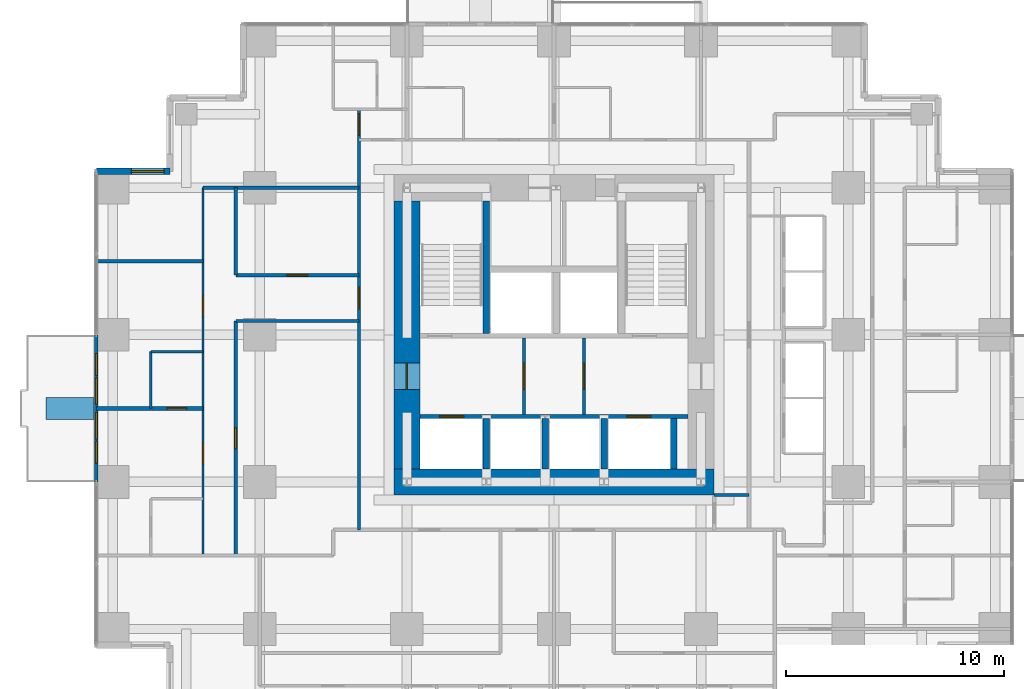
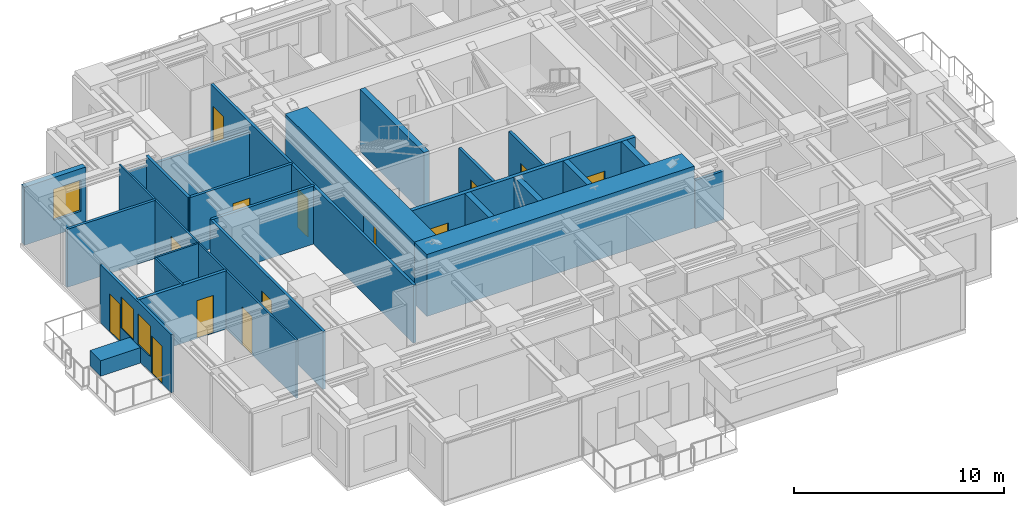
# One storey, part 8 of 13: 25 walls, 14 doors, 3 windows, 17 openings.
"""IFC4 building model written with IfcOpenShell, lengths in metres."""

from ifc_helpers import new_model, si_unit, direction, frame, frame_2d, origin, place, context, subcontext, project, spatial, rectangle, extrude, material, layer, layer_set, type_object, element, fill, save


model = new_model("IFC4")

# Units and contexts
model_context = context("Model", 3, precision=1e-05, world=origin(), true_north=direction((0.0, 1.0)))
body_context = subcontext(model_context, "Body", "Model", "MODEL_VIEW")
ifc_project = project(units=[si_unit("LENGTHUNIT", "METRE"), si_unit("AREAUNIT", "SQUARE_METRE"), si_unit("VOLUMEUNIT", "CUBIC_METRE"), si_unit("PLANEANGLEUNIT", "RADIAN"), si_unit("MASSUNIT", "GRAM", prefix="KILO")], contexts=[model_context])

# Site, building, storey
site_placement = place(None, origin())
site = spatial("IfcSite", under=ifc_project, at=site_placement, CompositionType="ELEMENT")
building_placement = place(site_placement, origin())
building = spatial("IfcBuilding", under=site, at=building_placement, Name="Nyansa Garden Tower", CompositionType="ELEMENT")
storey_placement = place(building_placement, frame((0.0, 0.0, 123.300048828125)))
storey = spatial("IfcBuildingStorey", under=building, at=storey_placement, Name="L33", CompositionType="ELEMENT", Elevation=123.300048828125)

# Wall, opening, door
ifc_material_1 = material(Name="Dense blockwork, plastered both sides, 55 dB", Category="masonry")
ifc_layer_1 = layer(ifc_material_1, 0.175048828125)
ifc_layer_set_1 = layer_set([ifc_layer_1], Name="Acoustic party wall PW175")
wall_type_1 = type_object("IfcWallType", Name="Acoustic party wall PW175", PredefinedType="PARTITIONING", material=ifc_layer_set_1)
wall_1_placement = place(storey_placement, frame((-0.73388671875, 16.875, 0.0), z_axis=(0.0, 0.0, 1.0), x_axis=(1.0, 0.0, 0.0)))
wall_1 = element("IfcWall", 1, at=wall_1_placement, inside=storey, type_object=wall_type_1, Name="Party wall", PredefinedType="PARTITIONING", context=body_context, shape_type="SweptSolid", body=[
    extrude(rectangle(XDim=4.8837890625, YDim=0.175048828125, at=frame_2d((2.44189453125, 0.0))), origin(), (0.0, 0.0, 1.0), 3.375),
])
opening_1_placement = place(wall_1_placement, frame((3.23388671875, 0.0, 0.0)))
opening_1 = element("IfcOpeningElement", 2, at=opening_1_placement, cuts=wall_1, Name="Opening D02", PredefinedType="OPENING", context=body_context, shape_type="SweptSolid", body=[
    extrude(rectangle(XDim=0.89990234375, YDim=2.199951171875, at=frame_2d((0.449951171875, 1.10009765625))), frame((0.0, 0.097412109375, 0.0), z_axis=(0.0, -1.0, 0.0), x_axis=(1.0, 0.0, 0.0)), (0.0, 0.0, 1.0), 0.195068359375),
])
ifc_material_2 = material(Name="Timber flush door", Category="wood")
door_type_1 = type_object("IfcDoorType", Name="En-suite door D02 900x2200", OperationType="SINGLE_SWING_RIGHT", PredefinedType="DOOR", material=ifc_material_2)
door_1_placement = place(opening_1_placement, origin())
door_1 = element("IfcDoor", 3, at=door_1_placement, inside=storey, type_object=door_type_1, Name="Door L33-056", OperationType="SINGLE_SWING_RIGHT", OverallHeight=2.199951171875, OverallWidth=0.89990234375, PredefinedType="DOOR", context=body_context, shape_type="SweptSolid", body=[
    extrude(rectangle(XDim=0.89990234375, YDim=2.199951171875, at=frame_2d((0.449951171875, 1.10009765625))), frame((0.0, 0.02490234375, 0.0), z_axis=(0.0, -1.0, 0.0), x_axis=(1.0, 0.0, 0.0)), (0.0, 0.0, 1.0), 0.050048828125),
])
fill(opening_1, door_1)

# Wall, openings, doors, windows
ifc_material_3 = material(Name="Black aluminium framed glazed screen", Category="aluminium")
ifc_layer_2 = layer(ifc_material_3, 0.14990234375)
ifc_layer_set_2 = layer_set([ifc_layer_2], Name="Balcony screen wall BW150")
wall_type_2 = type_object("IfcWallType", Name="Balcony screen wall BW150", PredefinedType="SOLIDWALL", material=ifc_layer_set_2)
wall_2_placement = place(storey_placement, frame((-0.75, 13.5, 0.0), z_axis=(0.0, 0.0, 1.0), x_axis=(0.0, 1.0, 0.0)))
wall_2 = element("IfcWall", 4, at=wall_2_placement, inside=storey, type_object=wall_type_2, Name="Glazed screen wall L33 W", PredefinedType="SOLIDWALL", context=body_context, shape_type="SweptSolid", body=[
    extrude(rectangle(XDim=6.75, YDim=0.14990234375, at=frame_2d((3.375, 0.0))), origin(), (0.0, 0.0, 1.0), 3.375),
])
opening_2_placement = place(wall_2_placement, frame((0.862548828125, 0.0, 0.0)))
opening_2 = element("IfcOpeningElement", 5, at=opening_2_placement, cuts=wall_2, Name="Opening D20", PredefinedType="OPENING", context=body_context, shape_type="SweptSolid", body=[
    extrude(rectangle(XDim=1.0, YDim=2.199951171875, at=frame_2d((0.5, 1.10009765625))), frame((0.0, 0.0849609375, 0.0), z_axis=(0.0, -1.0, 0.0), x_axis=(1.0, 0.0, 0.0)), (0.0, 0.0, 1.0), 0.169921875),
])
opening_3_placement = place(wall_2_placement, frame((1.97509765625, 0.0, 0.89990234375)))
opening_3 = element("IfcOpeningElement", 6, at=opening_3_placement, cuts=wall_2, Name="Opening W6", PredefinedType="OPENING", context=body_context, shape_type="SweptSolid", body=[
    extrude(rectangle(XDim=1.199951171875, YDim=1.800048828125, at=frame_2d((0.60009765625, 0.89990234375))), frame((0.0, 0.0849609375, 0.0), z_axis=(0.0, -1.0, 0.0), x_axis=(1.0, 0.0, 0.0)), (0.0, 0.0, 1.0), 0.169921875),
])
opening_4_placement = place(wall_2_placement, frame((4.887451171875, 0.0, 0.0)))
opening_4 = element("IfcOpeningElement", 7, at=opening_4_placement, cuts=wall_2, Name="Opening D20", PredefinedType="OPENING", context=body_context, shape_type="SweptSolid", body=[
    extrude(rectangle(XDim=1.0, YDim=2.199951171875, at=frame_2d((0.5, 1.10009765625))), frame((0.0, 0.0849609375, 0.0), z_axis=(0.0, -1.0, 0.0), x_axis=(1.0, 0.0, 0.0)), (0.0, 0.0, 1.0), 0.169921875),
])
opening_5_placement = place(wall_2_placement, frame((3.574951171875, 0.0, 0.89990234375)))
opening_5 = element("IfcOpeningElement", 8, at=opening_5_placement, cuts=wall_2, Name="Opening W6", PredefinedType="OPENING", context=body_context, shape_type="SweptSolid", body=[
    extrude(rectangle(XDim=1.199951171875, YDim=1.800048828125, at=frame_2d((0.60009765625, 0.89990234375))), frame((0.0, 0.0849609375, 0.0), z_axis=(0.0, -1.0, 0.0), x_axis=(1.0, 0.0, 0.0)), (0.0, 0.0, 1.0), 0.169921875),
])
ifc_material_4 = material(Name="Black aluminium framed glazed door", Category="aluminium")
door_type_2 = type_object("IfcDoorType", Name="Balcony door D20 1000x2200", OperationType="NOTDEFINED", PredefinedType="DOOR", material=ifc_material_4)
door_2_placement = place(opening_2_placement, origin())
door_2 = element("IfcDoor", 9, at=door_2_placement, inside=storey, type_object=door_type_2, Name="Balcony door L33", OperationType="SINGLE_SWING_LEFT", OverallHeight=2.199951171875, OverallWidth=1.0, PredefinedType="DOOR", context=body_context, shape_type="SweptSolid", body=[
    extrude(rectangle(XDim=1.0, YDim=2.199951171875, at=frame_2d((0.5, 1.10009765625))), frame((0.0, 0.02490234375, 0.0), z_axis=(0.0, -1.0, 0.0), x_axis=(1.0, 0.0, 0.0)), (0.0, 0.0, 1.0), 0.050048828125),
])
fill(opening_2, door_2)
door_3_placement = place(opening_4_placement, origin())
door_3 = element("IfcDoor", 10, at=door_3_placement, inside=storey, type_object=door_type_2, Name="Balcony door L33", OperationType="SINGLE_SWING_RIGHT", OverallHeight=2.199951171875, OverallWidth=1.0, PredefinedType="DOOR", context=body_context, shape_type="SweptSolid", body=[
    extrude(rectangle(XDim=1.0, YDim=2.199951171875, at=frame_2d((0.5, 1.10009765625))), frame((0.0, 0.02490234375, 0.0), z_axis=(0.0, -1.0, 0.0), x_axis=(1.0, 0.0, 0.0)), (0.0, 0.0, 1.0), 0.050048828125),
])
fill(opening_4, door_3)
ifc_material_5 = material(Name="Black aluminium frame, dark tinted double glazing", Category="aluminium")
window_type_1 = type_object("IfcWindowType", Name="Balcony window W6 1200x1800", PartitioningType="SINGLE_PANEL", PredefinedType="WINDOW", material=ifc_material_5)
window_1_placement = place(opening_3_placement, origin())
window_1 = element("IfcWindow", 11, at=window_1_placement, inside=storey, type_object=window_type_1, Name="Window L33", OverallHeight=1.800048828125, OverallWidth=1.199951171875, PartitioningType="SINGLE_PANEL", PredefinedType="WINDOW", context=body_context, shape_type="SweptSolid", body=[
    extrude(rectangle(XDim=1.199951171875, YDim=1.800048828125, at=frame_2d((0.60009765625, 0.89990234375))), frame((0.0, 0.030029296875, 0.0), z_axis=(0.0, -1.0, 0.0), x_axis=(1.0, 0.0, 0.0)), (0.0, 0.0, 1.0), 0.06005859375),
])
fill(opening_3, window_1)
window_2_placement = place(opening_5_placement, origin())
window_2 = element("IfcWindow", 12, at=window_2_placement, inside=storey, type_object=window_type_1, Name="Window L33", OverallHeight=1.800048828125, OverallWidth=1.199951171875, PartitioningType="SINGLE_PANEL", PredefinedType="WINDOW", context=body_context, shape_type="SweptSolid", body=[
    extrude(rectangle(XDim=1.199951171875, YDim=1.800048828125, at=frame_2d((0.60009765625, 0.89990234375))), frame((0.0, 0.030029296875, 0.0), z_axis=(0.0, -1.0, 0.0), x_axis=(1.0, 0.0, 0.0)), (0.0, 0.0, 1.0), 0.06005859375),
])
fill(opening_5, window_2)

# Wall, openings, doors
ifc_material_6 = material(Name="Concrete C70/85", Category="concrete")
ifc_layer_3 = layer(ifc_material_6, 0.199951171875)
ifc_layer_set_3 = layer_set([ifc_layer_3], Name="Core inner wall CI200")
wall_type_3 = type_object("IfcWallType", Name="Core inner wall CI200", PredefinedType="SHEAR", material=ifc_layer_set_3)
wall_3_placement = place(storey_placement, frame((14.10009765625, 16.5, 0.0), z_axis=(0.0, 0.0, 1.0), x_axis=(1.0, 0.0, 0.0)))
wall_3 = element("IfcWall", 13, at=wall_3_placement, inside=storey, type_object=wall_type_3, Name="Core inner wall L33", PredefinedType="SHEAR", context=body_context, shape_type="SweptSolid", body=[
    extrude(rectangle(XDim=12.2998046875, YDim=0.199951171875, at=frame_2d((6.14990234375, 0.0))), origin(), (0.0, 0.0, 1.0), 3.599853515625),
])
opening_6_placement = place(wall_3_placement, frame((0.89990234375, 0.0, 0.0)))
opening_6 = element("IfcOpeningElement", 14, at=opening_6_placement, cuts=wall_3, Name="Opening LD-F", PredefinedType="OPENING", context=body_context, shape_type="SweptSolid", body=[
    extrude(rectangle(XDim=1.10009765625, YDim=2.199951171875, at=frame_2d((0.550048828125, 1.10009765625))), frame((0.0, 0.10986328125, 0.0), z_axis=(0.0, -1.0, 0.0), x_axis=(1.0, 0.0, 0.0)), (0.0, 0.0, 1.0), 0.219970703125),
])
opening_7_placement = place(wall_3_placement, frame((9.5, 0.0, 0.0)))
opening_7 = element("IfcOpeningElement", 15, at=opening_7_placement, cuts=wall_3, Name="Opening LD-F", PredefinedType="OPENING", context=body_context, shape_type="SweptSolid", body=[
    extrude(rectangle(XDim=1.10009765625, YDim=2.199951171875, at=frame_2d((0.550048828125, 1.10009765625))), frame((0.0, 0.10986328125, 0.0), z_axis=(0.0, -1.0, 0.0), x_axis=(1.0, 0.0, 0.0)), (0.0, 0.0, 1.0), 0.219970703125),
])
ifc_material_7 = material(Name="Stainless steel centre-opening landing door of the firefighting lift, EN 81-72, E 120", Category="steel")
door_type_3 = type_object("IfcDoorType", Name="Lift landing door LD-F 1100x2200", OperationType="DOUBLE_DOOR_SLIDING", PredefinedType="DOOR", material=ifc_material_7)
door_4_placement = place(opening_6_placement, origin())
door_4 = element("IfcDoor", 16, at=door_4_placement, inside=storey, type_object=door_type_3, Name="Landing door FF1", OperationType="DOUBLE_DOOR_SLIDING", OverallHeight=2.199951171875, OverallWidth=1.10009765625, PredefinedType="DOOR", context=body_context, shape_type="SweptSolid", body=[
    extrude(rectangle(XDim=1.10009765625, YDim=2.199951171875, at=frame_2d((0.550048828125, 1.10009765625))), frame((0.0, 0.02490234375, 0.0), z_axis=(0.0, -1.0, 0.0), x_axis=(1.0, 0.0, 0.0)), (0.0, 0.0, 1.0), 0.050048828125),
])
fill(opening_6, door_4)
door_5_placement = place(opening_7_placement, origin())
door_5 = element("IfcDoor", 17, at=door_5_placement, inside=storey, type_object=door_type_3, Name="Landing door FF2", OperationType="DOUBLE_DOOR_SLIDING", OverallHeight=2.199951171875, OverallWidth=1.10009765625, PredefinedType="DOOR", context=body_context, shape_type="SweptSolid", body=[
    extrude(rectangle(XDim=1.10009765625, YDim=2.199951171875, at=frame_2d((0.550048828125, 1.10009765625))), frame((0.0, 0.02490234375, 0.0), z_axis=(0.0, -1.0, 0.0), x_axis=(1.0, 0.0, 0.0)), (0.0, 0.0, 1.0), 0.050048828125),
])
fill(opening_7, door_5)

# Walls
ifc_material_8 = material(Name="Concrete C70/85", Category="concrete")
ifc_layer_4 = layer(ifc_material_8, 0.300048828125)
ifc_layer_set_4 = layer_set([ifc_layer_4], Name="Core inner wall CI300")
wall_type_4 = type_object("IfcWallType", Name="Core inner wall CI300", PredefinedType="SHEAR", material=ifc_layer_set_4)
wall_4_placement = place(storey_placement, frame((17.14990234375, 20.300048828125, 0.0), z_axis=(0.0, 0.0, 1.0), x_axis=(0.0, 1.0, 0.0)))
element("IfcWall", 18, at=wall_4_placement, inside=storey, type_object=wall_type_4, Name="Core inner wall L33", PredefinedType="SHEAR", context=body_context, shape_type="SweptSolid", body=[
    extrude(rectangle(XDim=6.099853515625, YDim=0.300048828125, at=frame_2d((3.0498046875, 0.0))), origin(), (0.0, 0.0, 1.0), 3.599853515625),
])
for number, where, z_axis, x_axis, name in (
    (19, (17.14990234375, 14.10009765625, 0.0), (0.0, 0.0, 1.0), (0.0, 1.0, 0.0), "Core inner wall L33"),
    (20, (19.85009765625, 14.10009765625, 0.0), (0.0, 0.0, 1.0), (0.0, 1.0, 0.0), "Core inner wall L33"),
    (21, (22.550048828125, 14.10009765625, 0.0), (0.0, 0.0, 1.0), (0.0, 1.0, 0.0), "Core inner wall L33"),
    (22, (25.75, 14.10009765625, 0.0), (0.0, 0.0, 1.0), (0.0, 1.0, 0.0), "Core inner wall L33"),
):
    element("IfcWall", number, at=place(storey_placement, frame(where, z_axis=z_axis, x_axis=x_axis)), inside=storey, type_object=wall_type_4, Name=name, PredefinedType="SHEAR", context=body_context, shape_type="SweptSolid", body=[
        extrude(rectangle(XDim=2.2998046875, YDim=0.300048828125, at=frame_2d((1.14990234375, 0.0))), origin(), (0.0, 0.0, 1.0), 3.599853515625),
    ])
ifc_material_9 = material(Name="Concrete C80/95", Category="concrete")
ifc_layer_5 = layer(ifc_material_9, 1.199951171875)
ifc_layer_set_5 = layer_set([ifc_layer_5], Name="Core wall CW1200")
wall_type_5 = type_object("IfcWallType", Name="Core wall CW1200", PredefinedType="SHEAR", material=ifc_layer_set_5)
wall_5_placement = place(storey_placement, frame((12.89990234375, 13.5, 0.0), z_axis=(0.0, 0.0, 1.0), x_axis=(1.0, 0.0, 0.0)))
element("IfcWall", 23, at=wall_5_placement, inside=storey, type_object=wall_type_5, Name="Core wall S L33", PredefinedType="SHEAR", context=body_context, shape_type="SweptSolid", body=[
    extrude(rectangle(XDim=14.7001953125, YDim=1.199951171875, at=frame_2d((7.35009765625, 0.0))), origin(), (0.0, 0.0, 1.0), 3.599853515625),
])

# Wall, opening, door
wall_6_placement = place(storey_placement, frame((13.5, 26.39990234375, 0.0), z_axis=(0.0, 0.0, 1.0), x_axis=(0.0, -1.0, 0.0)))
wall_6 = element("IfcWall", 24, at=wall_6_placement, inside=storey, type_object=wall_type_5, Name="Core wall W L33", PredefinedType="SHEAR", context=body_context, shape_type="SweptSolid", body=[
    extrude(rectangle(XDim=12.2998046875, YDim=1.199951171875, at=frame_2d((6.14990234375, 0.0))), origin(), (0.0, 0.0, 1.0), 3.599853515625),
])
opening_8_placement = place(wall_6_placement, frame((7.449951171875, 0.0, 0.0)))
opening_8 = element("IfcOpeningElement", 25, at=opening_8_placement, cuts=wall_6, Name="Opening D06", PredefinedType="OPENING", context=body_context, shape_type="SweptSolid", body=[
    extrude(rectangle(XDim=1.199951171875, YDim=2.199951171875, at=frame_2d((0.60009765625, 1.10009765625))), frame((0.0, 0.60986328125, 0.0), z_axis=(0.0, -1.0, 0.0), x_axis=(1.0, 0.0, 0.0)), (0.0, 0.0, 1.0), 1.219970703125),
])
ifc_material_10 = material(Name="Steel door, 120 minute fire resisting", Category="steel")
door_type_4 = type_object("IfcDoorType", Name="Lobby door D06 1200x2200", OperationType="DOUBLE_DOOR_SINGLE_SWING", PredefinedType="DOOR", material=ifc_material_10)
door_6_placement = place(opening_8_placement, origin())
door_6 = element("IfcDoor", 26, at=door_6_placement, inside=storey, type_object=door_type_4, Name="Lift lobby door west", OperationType="DOUBLE_DOOR_SINGLE_SWING", OverallHeight=2.199951171875, OverallWidth=1.199951171875, PredefinedType="DOOR", context=body_context, shape_type="SweptSolid", body=[
    extrude(rectangle(XDim=1.199951171875, YDim=2.199951171875, at=frame_2d((0.60009765625, 1.10009765625))), frame((0.0, 0.02490234375, 0.0), z_axis=(0.0, -1.0, 0.0), x_axis=(1.0, 0.0, 0.0)), (0.0, 0.0, 1.0), 0.050048828125),
])
fill(opening_8, door_6)

ifc_material_11 = material(Name="Blockwork, plastered both sides", Category="masonry")
ifc_layer_6 = layer(ifc_material_11, 0.14990234375)
ifc_layer_set_6 = layer_set([ifc_layer_6], Name="Partition PW150")
wall_type_6 = type_object("IfcWallType", Name="Partition PW150", PredefinedType="PARTITIONING", material=ifc_layer_set_6)
wall_7_placement = place(storey_placement, frame((18.875, 16.60009765625, 0.0), z_axis=(0.0, 0.0, 1.0), x_axis=(0.0, 1.0, 0.0)))
wall_7 = element("IfcWall", 27, at=wall_7_placement, inside=storey, type_object=wall_type_6, Name="Partition", PredefinedType="PARTITIONING", context=body_context, shape_type="SweptSolid", body=[
    extrude(rectangle(XDim=3.5, YDim=0.14990234375, at=frame_2d((1.75, 0.0))), origin(), (0.0, 0.0, 1.0), 3.375),
])
opening_9_placement = place(wall_7_placement, frame((1.14990234375, 0.0, 0.0)))
opening_9 = element("IfcOpeningElement", 28, at=opening_9_placement, cuts=wall_7, Name="Opening D06", PredefinedType="OPENING", context=body_context, shape_type="SweptSolid", body=[
    extrude(rectangle(XDim=1.199951171875, YDim=2.199951171875, at=frame_2d((0.60009765625, 1.10009765625))), frame((0.0, 0.0849609375, 0.0), z_axis=(0.0, -1.0, 0.0), x_axis=(1.0, 0.0, 0.0)), (0.0, 0.0, 1.0), 0.169921875),
])
door_7_placement = place(opening_9_placement, origin())
door_7 = element("IfcDoor", 29, at=door_7_placement, inside=storey, type_object=door_type_4, Name="Passenger lift lobby door", OperationType="DOUBLE_DOOR_SINGLE_SWING", OverallHeight=2.199951171875, OverallWidth=1.199951171875, PredefinedType="DOOR", context=body_context, shape_type="SweptSolid", body=[
    extrude(rectangle(XDim=1.199951171875, YDim=2.199951171875, at=frame_2d((0.60009765625, 1.10009765625))), frame((0.0, 0.02490234375, 0.0), z_axis=(0.0, -1.0, 0.0), x_axis=(1.0, 0.0, 0.0)), (0.0, 0.0, 1.0), 0.050048828125),
])
fill(opening_9, door_7)

wall_8_placement = place(storey_placement, frame((21.625, 16.60009765625, 0.0), z_axis=(0.0, 0.0, 1.0), x_axis=(0.0, 1.0, 0.0)))
wall_8 = element("IfcWall", 30, at=wall_8_placement, inside=storey, type_object=wall_type_6, Name="Partition", PredefinedType="PARTITIONING", context=body_context, shape_type="SweptSolid", body=[
    extrude(rectangle(XDim=3.5, YDim=0.14990234375, at=frame_2d((1.75, 0.0))), origin(), (0.0, 0.0, 1.0), 3.375),
])
opening_10_placement = place(wall_8_placement, frame((1.14990234375, 0.0, 0.0)))
opening_10 = element("IfcOpeningElement", 31, at=opening_10_placement, cuts=wall_8, Name="Opening D06", PredefinedType="OPENING", context=body_context, shape_type="SweptSolid", body=[
    extrude(rectangle(XDim=1.199951171875, YDim=2.199951171875, at=frame_2d((0.60009765625, 1.10009765625))), frame((0.0, 0.0849609375, 0.0), z_axis=(0.0, -1.0, 0.0), x_axis=(1.0, 0.0, 0.0)), (0.0, 0.0, 1.0), 0.169921875),
])
door_8_placement = place(opening_10_placement, origin())
door_8 = element("IfcDoor", 32, at=door_8_placement, inside=storey, type_object=door_type_4, Name="Passenger lift lobby door", OperationType="DOUBLE_DOOR_SINGLE_SWING", OverallHeight=2.199951171875, OverallWidth=1.199951171875, PredefinedType="DOOR", context=body_context, shape_type="SweptSolid", body=[
    extrude(rectangle(XDim=1.199951171875, YDim=2.199951171875, at=frame_2d((0.60009765625, 1.10009765625))), frame((0.0, 0.02490234375, 0.0), z_axis=(0.0, -1.0, 0.0), x_axis=(1.0, 0.0, 0.0)), (0.0, 0.0, 1.0), 0.050048828125),
])
fill(opening_10, door_8)

# Walls
wall_9_placement = place(storey_placement, frame((-0.73388671875, 23.625, 0.0), z_axis=(0.0, 0.0, 1.0), x_axis=(1.0, 0.0, 0.0)))
element("IfcWall", 33, at=wall_9_placement, inside=storey, type_object=wall_type_6, Name="Partition", PredefinedType="PARTITIONING", context=body_context, shape_type="SweptSolid", body=[
    extrude(rectangle(XDim=4.8837890625, YDim=0.14990234375, at=frame_2d((2.44189453125, 0.0))), origin(), (0.0, 0.0, 1.0), 3.375),
])
wall_10_placement = place(storey_placement, frame((4.14990234375, 27.0, 0.0), z_axis=(0.0, 0.0, 1.0), x_axis=(1.0, 0.0, 0.0)))
element("IfcWall", 34, at=wall_10_placement, inside=storey, type_object=wall_type_6, Name="Partition", PredefinedType="PARTITIONING", context=body_context, shape_type="SweptSolid", body=[
    extrude(rectangle(XDim=7.150146484375, YDim=0.14990234375, at=frame_2d((3.5751953125, 0.0))), origin(), (0.0, 0.0, 1.0), 2.805908203125),
])

# Wall, opening, door
wall_11_placement = place(storey_placement, frame((5.64990234375, 10.125, 0.0), z_axis=(0.0, 0.0, 1.0), x_axis=(0.0, 1.0, 0.0)))
wall_11 = element("IfcWall", 35, at=wall_11_placement, inside=storey, type_object=wall_type_6, Name="Partition", PredefinedType="PARTITIONING", context=body_context, shape_type="SweptSolid", body=[
    extrude(rectangle(XDim=10.762451171875, YDim=0.14990234375, at=frame_2d((5.38134765625, 0.0))), origin(), (0.0, 0.0, 1.0), 3.375),
])
opening_11_placement = place(wall_11_placement, frame((4.89990234375, 0.0, 0.0)))
opening_11 = element("IfcOpeningElement", 36, at=opening_11_placement, cuts=wall_11, Name="Opening D01", PredefinedType="OPENING", context=body_context, shape_type="SweptSolid", body=[
    extrude(rectangle(XDim=0.949951171875, YDim=2.199951171875, at=frame_2d((0.47509765625, 1.10009765625))), frame((0.0, 0.0849609375, 0.0), z_axis=(0.0, -1.0, 0.0), x_axis=(1.0, 0.0, 0.0)), (0.0, 0.0, 1.0), 0.169921875),
])
ifc_material_12 = material(Name="Timber flush door, 30 minute fire resisting", Category="wood")
door_type_5 = type_object("IfcDoorType", Name="Bedroom door D01 950x2200", OperationType="SINGLE_SWING_LEFT", PredefinedType="DOOR", material=ifc_material_12)
door_9_placement = place(opening_11_placement, origin())
door_9 = element("IfcDoor", 37, at=door_9_placement, inside=storey, type_object=door_type_5, Name="Door L33-058", OperationType="SINGLE_SWING_LEFT", OverallHeight=2.199951171875, OverallWidth=0.949951171875, PredefinedType="DOOR", context=body_context, shape_type="SweptSolid", body=[
    extrude(rectangle(XDim=0.949951171875, YDim=2.199951171875, at=frame_2d((0.47509765625, 1.10009765625))), frame((0.0, 0.02490234375, 0.0), z_axis=(0.0, -1.0, 0.0), x_axis=(1.0, 0.0, 0.0)), (0.0, 0.0, 1.0), 0.050048828125),
])
fill(opening_11, door_9)

# Walls
wall_12_placement = place(storey_placement, frame((5.64990234375, 20.886962890625, 0.0), z_axis=(0.0, 0.0, 1.0), x_axis=(1.0, 0.0, 0.0)))
element("IfcWall", 38, at=wall_12_placement, inside=storey, type_object=wall_type_6, Name="Partition", PredefinedType="PARTITIONING", context=body_context, shape_type="SweptSolid", body=[
    extrude(rectangle(XDim=5.650146484375, YDim=0.14990234375, at=frame_2d((2.8251953125, 0.0))), origin(), (0.0, 0.0, 1.0), 3.375),
])
wall_13_placement = place(storey_placement, frame((5.64990234375, 22.987548828125, 0.0), z_axis=(0.0, 0.0, 1.0), x_axis=(0.0, 1.0, 0.0)))
element("IfcWall", 39, at=wall_13_placement, inside=storey, type_object=wall_type_6, Name="Partition", PredefinedType="PARTITIONING", context=body_context, shape_type="SweptSolid", body=[
    extrude(rectangle(XDim=4.012451171875, YDim=0.14990234375, at=frame_2d((2.00634765625, 0.0))), origin(), (0.0, 0.0, 1.0), 3.375),
])

# Wall, opening, door
wall_14_placement = place(storey_placement, frame((5.64990234375, 22.988037109375, 0.0), z_axis=(0.0, 0.0, 1.0), x_axis=(1.0, 0.0, 0.0)))
wall_14 = element("IfcWall", 40, at=wall_14_placement, inside=storey, type_object=wall_type_6, Name="Partition", PredefinedType="PARTITIONING", context=body_context, shape_type="SweptSolid", body=[
    extrude(rectangle(XDim=5.650146484375, YDim=0.14990234375, at=frame_2d((2.8251953125, 0.0))), origin(), (0.0, 0.0, 1.0), 3.375),
])
opening_12_placement = place(wall_14_placement, frame((2.35009765625, 0.0, 0.0)))
opening_12 = element("IfcOpeningElement", 41, at=opening_12_placement, cuts=wall_14, Name="Opening D01", PredefinedType="OPENING", context=body_context, shape_type="SweptSolid", body=[
    extrude(rectangle(XDim=0.949951171875, YDim=2.199951171875, at=frame_2d((0.47509765625, 1.10009765625))), frame((0.0, 0.0849609375, 0.0), z_axis=(0.0, -1.0, 0.0), x_axis=(1.0, 0.0, 0.0)), (0.0, 0.0, 1.0), 0.169921875),
])
door_10_placement = place(opening_12_placement, origin())
door_10 = element("IfcDoor", 42, at=door_10_placement, inside=storey, type_object=door_type_5, Name="Door L33-059", OperationType="SINGLE_SWING_LEFT", OverallHeight=2.199951171875, OverallWidth=0.949951171875, PredefinedType="DOOR", context=body_context, shape_type="SweptSolid", body=[
    extrude(rectangle(XDim=0.949951171875, YDim=2.199951171875, at=frame_2d((0.47509765625, 1.10009765625))), frame((0.0, 0.02490234375, 0.0), z_axis=(0.0, -1.0, 0.0), x_axis=(1.0, 0.0, 0.0)), (0.0, 0.0, 1.0), 0.050048828125),
])
fill(opening_12, door_10)

# Wall, openings, doors
wall_15_placement = place(storey_placement, frame((11.300048828125, 11.300048828125, 0.0), z_axis=(0.0, 0.0, 1.0), x_axis=(0.0, 1.0, 0.0)))
wall_15 = element("IfcWall", 43, at=wall_15_placement, inside=storey, type_object=wall_type_6, Name="Partition", PredefinedType="PARTITIONING", context=body_context, shape_type="SweptSolid", body=[
    extrude(rectangle(XDim=19.300048828125, YDim=0.14990234375, at=frame_2d((9.64990234375, 0.0))), origin(), (0.0, 0.0, 1.0), 3.375),
])
opening_13_placement = place(wall_15_placement, frame((18.10009765625, 0.0, 0.0)))
opening_13 = element("IfcOpeningElement", 44, at=opening_13_placement, cuts=wall_15, Name="Opening D03", PredefinedType="OPENING", context=body_context, shape_type="SweptSolid", body=[
    extrude(rectangle(XDim=1.0, YDim=2.199951171875, at=frame_2d((0.5, 1.10009765625))), frame((0.0, 0.0849609375, 0.0), z_axis=(0.0, -1.0, 0.0), x_axis=(1.0, 0.0, 0.0)), (0.0, 0.0, 1.0), 0.169921875),
])
opening_14_placement = place(wall_15_placement, frame((10.137451171875, 0.0, 0.0)))
opening_14 = element("IfcOpeningElement", 45, at=opening_14_placement, cuts=wall_15, Name="Opening D03", PredefinedType="OPENING", context=body_context, shape_type="SweptSolid", body=[
    extrude(rectangle(XDim=1.0, YDim=2.199951171875, at=frame_2d((0.5, 1.10009765625))), frame((0.0, 0.0849609375, 0.0), z_axis=(0.0, -1.0, 0.0), x_axis=(1.0, 0.0, 0.0)), (0.0, 0.0, 1.0), 0.169921875),
])
ifc_material_13 = material(Name="Timber flush door, 60 minute fire resisting", Category="wood")
door_type_6 = type_object("IfcDoorType", Name="Cluster entrance door D03 1000x2200", OperationType="SINGLE_SWING_LEFT", PredefinedType="DOOR", material=ifc_material_13)
door_11_placement = place(opening_13_placement, origin())
door_11 = element("IfcDoor", 46, at=door_11_placement, inside=storey, type_object=door_type_6, Name="Door L33-052", OperationType="SINGLE_SWING_LEFT", OverallHeight=2.199951171875, OverallWidth=1.0, PredefinedType="DOOR", context=body_context, shape_type="SweptSolid", body=[
    extrude(rectangle(XDim=1.0, YDim=2.199951171875, at=frame_2d((0.5, 1.10009765625))), frame((0.0, 0.02490234375, 0.0), z_axis=(0.0, -1.0, 0.0), x_axis=(1.0, 0.0, 0.0)), (0.0, 0.0, 1.0), 0.050048828125),
])
fill(opening_13, door_11)
door_12_placement = place(opening_14_placement, origin())
door_12 = element("IfcDoor", 47, at=door_12_placement, inside=storey, type_object=door_type_6, Name="Door L33-057", OperationType="SINGLE_SWING_LEFT", OverallHeight=2.199951171875, OverallWidth=1.0, PredefinedType="DOOR", context=body_context, shape_type="SweptSolid", body=[
    extrude(rectangle(XDim=1.0, YDim=2.199951171875, at=frame_2d((0.5, 1.10009765625))), frame((0.0, 0.02490234375, 0.0), z_axis=(0.0, -1.0, 0.0), x_axis=(1.0, 0.0, 0.0)), (0.0, 0.0, 1.0), 0.050048828125),
])
fill(opening_14, door_12)

# Wall
wall_16_placement = place(storey_placement, frame((27.60009765625, 12.89990234375, 0.0), z_axis=(0.0, 0.0, 1.0), x_axis=(1.0, 0.0, 0.0)))
element("IfcWall", 48, at=wall_16_placement, inside=storey, type_object=wall_type_6, Name="Partition", PredefinedType="PARTITIONING", context=body_context, shape_type="SweptSolid", body=[
    extrude(rectangle(XDim=1.599853515625, YDim=0.14990234375, at=frame_2d((0.7998046875, 0.0))), origin(), (0.0, 0.0, 1.0), 2.805908203125),
])

# Wall, opening, window
ifc_material_14 = material(Name="Turquoise glazed tile on concrete blockwork", Category="masonry")
ifc_layer_7 = layer(ifc_material_14, 0.300048828125)
ifc_layer_set_7 = layer_set([ifc_layer_7], Name="Tiled corner wall TW300")
wall_type_7 = type_object("IfcWallType", Name="Tiled corner wall TW300", PredefinedType="SOLIDWALL", material=ifc_layer_set_7)
wall_17_placement = place(storey_placement, frame((2.625, 27.75, 0.0), z_axis=(0.0, 0.0, 1.0), x_axis=(-1.0, 0.0, 0.0)))
wall_17 = element("IfcWall", 49, at=wall_17_placement, inside=storey, type_object=wall_type_7, Name="Tiled corner wall L33", PredefinedType="SOLIDWALL", context=body_context, shape_type="SweptSolid", body=[
    extrude(rectangle(XDim=3.375, YDim=0.300048828125, at=frame_2d((1.6875, 0.0))), origin(), (0.0, 0.0, 1.0), 3.375),
])
opening_15_placement = place(wall_17_placement, frame((0.267578125, 0.0, 0.89990234375)))
opening_15 = element("IfcOpeningElement", 50, at=opening_15_placement, cuts=wall_17, Name="Opening W1", PredefinedType="OPENING", context=body_context, shape_type="SweptSolid", body=[
    extrude(rectangle(XDim=1.5, YDim=1.800048828125, at=frame_2d((0.75, 0.89990234375))), frame((0.0, 0.159912109375, 0.0), z_axis=(0.0, -1.0, 0.0), x_axis=(1.0, 0.0, 0.0)), (0.0, 0.0, 1.0), 0.320068359375),
])
ifc_material_15 = material(Name="Black aluminium frame, dark tinted double glazing", Category="aluminium")
window_type_2 = type_object("IfcWindowType", Name="Window W1 1500x1800", PartitioningType="SINGLE_PANEL", PredefinedType="WINDOW", material=ifc_material_15)
window_3_placement = place(opening_15_placement, origin())
window_3 = element("IfcWindow", 51, at=window_3_placement, inside=storey, type_object=window_type_2, Name="Corner window L33", OverallHeight=1.800048828125, OverallWidth=1.5, PartitioningType="SINGLE_PANEL", PredefinedType="WINDOW", context=body_context, shape_type="SweptSolid", body=[
    extrude(rectangle(XDim=1.5, YDim=1.800048828125, at=frame_2d((0.75, 0.89990234375))), frame((0.0, 0.030029296875, 0.0), z_axis=(0.0, -1.0, 0.0), x_axis=(1.0, 0.0, 0.0)), (0.0, 0.0, 1.0), 0.06005859375),
])
fill(opening_15, window_3)

# Walls
ifc_material_16 = material(Name="Concrete C40/50 planter, waterproofed", Category="concrete")
ifc_layer_8 = layer(ifc_material_16, 1.0)
ifc_layer_set_8 = layer_set([ifc_layer_8], Name="Tree planter TP1")
wall_type_8 = type_object("IfcWallType", Name="Tree planter TP1", PredefinedType="USERDEFINED", material=ifc_layer_set_8)
wall_18_placement = place(storey_placement, frame((-0.85009765625, 16.875, 0.0), z_axis=(0.0, 0.0, 1.0), x_axis=(-1.0, 0.0, 0.0)))
element("IfcWall", 52, at=wall_18_placement, inside=storey, type_object=wall_type_8, Name="Tree planter L33", ObjectType="TREE PLANTER", PredefinedType="USERDEFINED", context=body_context, shape_type="SweptSolid", body=[
    extrude(rectangle(XDim=2.199951171875, YDim=1.0, at=frame_2d((1.10009765625, 0.0))), origin(), (0.0, 0.0, 1.0), 0.89990234375),
])
ifc_material_17 = material(Name="Moisture resistant board on steel studs, tiled", Category="steel")
ifc_layer_9 = layer(ifc_material_17, 0.10009765625)
ifc_layer_set_9 = layer_set([ifc_layer_9], Name="Wet wall PW100")
wall_type_9 = type_object("IfcWallType", Name="Wet wall PW100", PredefinedType="PARTITIONING", material=ifc_layer_set_9)
wall_19_placement = place(storey_placement, frame((1.75, 16.875, 0.0), z_axis=(0.0, 0.0, 1.0), x_axis=(0.0, 1.0, 0.0)))
element("IfcWall", 53, at=wall_19_placement, inside=storey, type_object=wall_type_9, Name="Wet wall", PredefinedType="PARTITIONING", context=body_context, shape_type="SweptSolid", body=[
    extrude(rectangle(XDim=2.60009765625, YDim=0.10009765625, at=frame_2d((1.300048828125, 0.0))), origin(), (0.0, 0.0, 1.0), 3.375),
])
wall_20_placement = place(storey_placement, frame((1.75, 19.47509765625, 0.0), z_axis=(0.0, 0.0, 1.0), x_axis=(1.0, 0.0, 0.0)))
element("IfcWall", 54, at=wall_20_placement, inside=storey, type_object=wall_type_9, Name="Wet wall", PredefinedType="PARTITIONING", context=body_context, shape_type="SweptSolid", body=[
    extrude(rectangle(XDim=2.39990234375, YDim=0.10009765625, at=frame_2d((1.199951171875, 0.0))), origin(), (0.0, 0.0, 1.0), 3.375),
])

# Wall, openings, doors
wall_21_placement = place(storey_placement, frame((4.14990234375, 10.125, 0.0), z_axis=(0.0, 0.0, 1.0), x_axis=(0.0, 1.0, 0.0)))
wall_21 = element("IfcWall", 55, at=wall_21_placement, inside=storey, type_object=wall_type_9, Name="Wet wall", PredefinedType="PARTITIONING", context=body_context, shape_type="SweptSolid", body=[
    extrude(rectangle(XDim=16.875, YDim=0.10009765625, at=frame_2d((8.4375, 0.0))), origin(), (0.0, 0.0, 1.0), 3.375),
])
opening_16_placement = place(wall_21_placement, frame((4.199951171875, 0.0, 0.0)))
opening_16 = element("IfcOpeningElement", 56, at=opening_16_placement, cuts=wall_21, Name="Opening D14", PredefinedType="OPENING", context=body_context, shape_type="SweptSolid", body=[
    extrude(rectangle(XDim=0.949951171875, YDim=2.199951171875, at=frame_2d((0.47509765625, 1.10009765625))), frame((0.0, 0.06005859375, 0.0), z_axis=(0.0, -1.0, 0.0), x_axis=(1.0, 0.0, 0.0)), (0.0, 0.0, 1.0), 0.1201171875),
])
opening_17_placement = place(wall_21_placement, frame((10.949951171875, 0.0, 0.0)))
opening_17 = element("IfcOpeningElement", 57, at=opening_17_placement, cuts=wall_21, Name="Opening D14", PredefinedType="OPENING", context=body_context, shape_type="SweptSolid", body=[
    extrude(rectangle(XDim=0.949951171875, YDim=2.199951171875, at=frame_2d((0.47509765625, 1.10009765625))), frame((0.0, 0.06005859375, 0.0), z_axis=(0.0, -1.0, 0.0), x_axis=(1.0, 0.0, 0.0)), (0.0, 0.0, 1.0), 0.1201171875),
])
ifc_material_18 = material(Name="Timber flush door, 60 minute fire resisting, self-closing", Category="wood")
door_type_7 = type_object("IfcDoorType", Name="Studio entrance door D14 950x2200", OperationType="SINGLE_SWING_LEFT", PredefinedType="DOOR", material=ifc_material_18)
door_13_placement = place(opening_16_placement, origin())
door_13 = element("IfcDoor", 58, at=door_13_placement, inside=storey, type_object=door_type_7, Name="Door L33-053", OperationType="SINGLE_SWING_LEFT", OverallHeight=2.199951171875, OverallWidth=0.949951171875, PredefinedType="DOOR", context=body_context, shape_type="SweptSolid", body=[
    extrude(rectangle(XDim=0.949951171875, YDim=2.199951171875, at=frame_2d((0.47509765625, 1.10009765625))), frame((0.0, 0.02490234375, 0.0), z_axis=(0.0, -1.0, 0.0), x_axis=(1.0, 0.0, 0.0)), (0.0, 0.0, 1.0), 0.050048828125),
])
fill(opening_16, door_13)
door_14_placement = place(opening_17_placement, origin())
door_14 = element("IfcDoor", 59, at=door_14_placement, inside=storey, type_object=door_type_7, Name="Door L33-055", OperationType="SINGLE_SWING_LEFT", OverallHeight=2.199951171875, OverallWidth=0.949951171875, PredefinedType="DOOR", context=body_context, shape_type="SweptSolid", body=[
    extrude(rectangle(XDim=0.949951171875, YDim=2.199951171875, at=frame_2d((0.47509765625, 1.10009765625))), frame((0.0, 0.02490234375, 0.0), z_axis=(0.0, -1.0, 0.0), x_axis=(1.0, 0.0, 0.0)), (0.0, 0.0, 1.0), 0.050048828125),
])
fill(opening_17, door_14)

save(model, "model.ifc")
